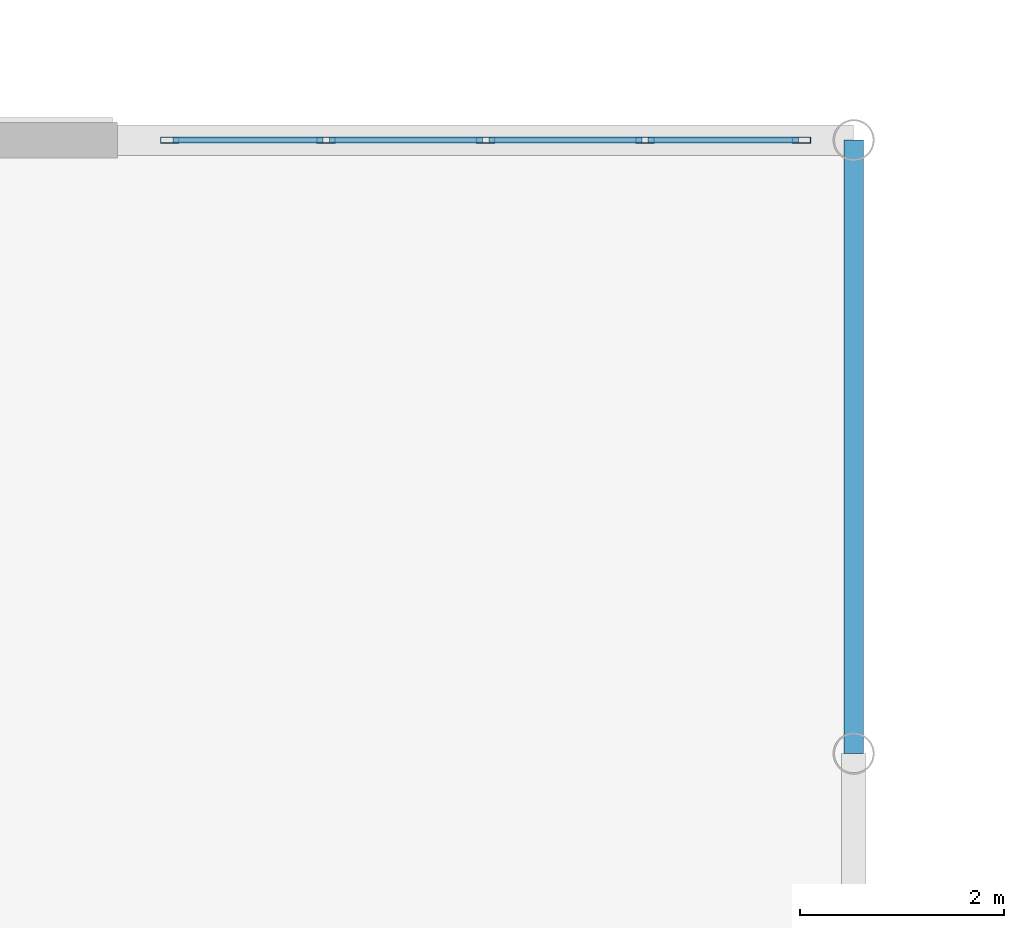
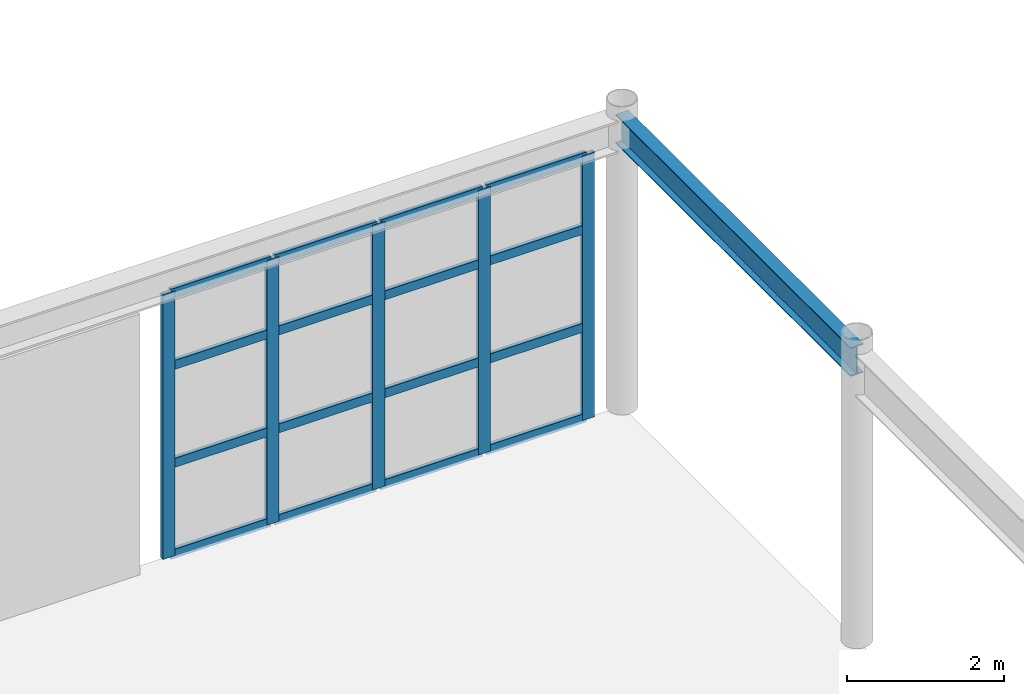
# One storey, part 40 of 83: 21 members, 1 beam, 1 element without a shape of its own.
"""IFC4 building model written with IfcOpenShell, lengths in metres."""

from ifc_helpers import new_model, si_unit, direction, frame, origin, origin_2d, place, context, subcontext, project, spatial, hollow_rectangle, i_section, extrude, material, layer, layer_set, material_profile, profile_set, type_object, element, aggregate, save


model = new_model("IFC4")

# Units and contexts
model_context = context("Model", 3, precision=1e-05, world=origin(), true_north=direction((0.0, 1.0)))
body_context = subcontext(model_context, "Body", "Model", "MODEL_VIEW")
ifc_project = project(units=[si_unit("LENGTHUNIT", "METRE"), si_unit("AREAUNIT", "SQUARE_METRE"), si_unit("VOLUMEUNIT", "CUBIC_METRE"), si_unit("PLANEANGLEUNIT", "RADIAN"), si_unit("MASSUNIT", "GRAM", prefix="KILO")], contexts=[model_context])

# Site, building, storey
site_placement = place(None, origin())
site = spatial("IfcSite", under=ifc_project, at=site_placement, CompositionType="ELEMENT")
building_placement = place(site_placement, origin())
building = spatial("IfcBuilding", under=site, at=building_placement, Name="Solvadek Multi-Sports Hall", CompositionType="ELEMENT")
storey_placement = place(building_placement, origin())
storey = spatial("IfcBuildingStorey", under=building, at=storey_placement, Name="L00", CompositionType="ELEMENT", Elevation=0.0)

# Curtain wall, members
ifc_material_1 = material(Name="Anodised aluminium", Category="aluminium")
ifc_layer = layer(ifc_material_1, 0.159912109375, Name="Anodised aluminium")
ifc_layer_set = layer_set([ifc_layer], Name="Anodised aluminium")
curtain_wall_type = type_object("IfcCurtainWallType", Name="ENV-CW-624X412", PredefinedType="USERDEFINED", material=ifc_layer_set)
curtain_wall_placement = place(storey_placement, origin())
curtain_wall = element("IfcCurtainWall", 1, at=curtain_wall_placement, inside=storey, type_object=curtain_wall_type, Name="L00 Perimeter Bay Curtain Wall #115", ObjectType="CURTAIN WALL", PredefinedType="USERDEFINED")
ifc_material_profile_1 = material_profile(ifc_material_1, hollow_rectangle(XDim=0.06005859375, YDim=0.179931640625, WallThickness=0.00390625, at=origin_2d()), Name="ALU-M 180x60x4")
ifc_profile_set_1 = profile_set([ifc_material_profile_1], Name="Anodised aluminium")
member_type_1 = type_object("IfcMemberType", Name="ENV-CWM-02", PredefinedType="MULLION", material=ifc_profile_set_1)
member_1_placement = place(storey_placement, frame((79.7099609375, 110.39990234375, 0.0), z_axis=(0.0, 0.0, 1.0), x_axis=(0.0, 1.0, 0.0)))
member_1 = element("IfcMember", 2, at=member_1_placement, type_object=member_type_1, Name="CW-38 mullion 1", PredefinedType="MULLION", context=body_context, shape_type="SweptSolid", body=[
    extrude(hollow_rectangle(XDim=0.06005859375, YDim=0.179931640625, WallThickness=0.00390625, at=origin_2d()), origin(), (0.0, 0.0, 1.0), 4.125),
])
member_2_placement = place(storey_placement, frame((81.239990234375, 110.39990234375, 0.0), z_axis=(0.0, 0.0, 1.0), x_axis=(0.0, 1.0, 0.0)))
member_2 = element("IfcMember", 3, at=member_2_placement, type_object=member_type_1, Name="CW-38 mullion 2", PredefinedType="MULLION", context=body_context, shape_type="SweptSolid", body=[
    extrude(hollow_rectangle(XDim=0.06005859375, YDim=0.179931640625, WallThickness=0.00390625, at=origin_2d()), origin(), (0.0, 0.0, 1.0), 4.125),
])
member_3_placement = place(storey_placement, frame((82.800048828125, 110.39990234375, 0.0), z_axis=(0.0, 0.0, 1.0), x_axis=(0.0, 1.0, 0.0)))
member_3 = element("IfcMember", 4, at=member_3_placement, type_object=member_type_1, Name="CW-38 mullion 3", PredefinedType="MULLION", context=body_context, shape_type="SweptSolid", body=[
    extrude(hollow_rectangle(XDim=0.06005859375, YDim=0.179931640625, WallThickness=0.00390625, at=origin_2d()), origin(), (0.0, 0.0, 1.0), 4.125),
])
member_4_placement = place(storey_placement, frame((84.360107421875, 110.39990234375, 0.0), z_axis=(0.0, 0.0, 1.0), x_axis=(0.0, 1.0, 0.0)))
member_4 = element("IfcMember", 5, at=member_4_placement, type_object=member_type_1, Name="CW-38 mullion 4", PredefinedType="MULLION", context=body_context, shape_type="SweptSolid", body=[
    extrude(hollow_rectangle(XDim=0.06005859375, YDim=0.179931640625, WallThickness=0.00390625, at=origin_2d()), origin(), (0.0, 0.0, 1.0), 4.125),
])
member_5_placement = place(storey_placement, frame((85.889892578125, 110.39990234375, 0.0), z_axis=(0.0, 0.0, 1.0), x_axis=(0.0, 1.0, 0.0)))
member_5 = element("IfcMember", 6, at=member_5_placement, type_object=member_type_1, Name="CW-38 mullion 5", PredefinedType="MULLION", context=body_context, shape_type="SweptSolid", body=[
    extrude(hollow_rectangle(XDim=0.06005859375, YDim=0.179931640625, WallThickness=0.00390625, at=origin_2d()), origin(), (0.0, 0.0, 1.0), 4.125),
])
ifc_material_profile_2 = material_profile(ifc_material_1, hollow_rectangle(XDim=0.06005859375, YDim=0.139892578125, WallThickness=0.00390625, at=origin_2d()), Name="ALU-T 140x60x4")
ifc_profile_set_2 = profile_set([ifc_material_profile_2], Name="Anodised aluminium")
member_type_2 = type_object("IfcMemberType", Name="ENV-CWT-02", PredefinedType="USERDEFINED", material=ifc_profile_set_2)
member_6_placement = place(storey_placement, frame((79.739990234375, 110.39990234375, 0.030029296875), z_axis=(1.0, 0.0, 0.0), x_axis=(0.0, 1.0, 0.0)))
member_6 = element("IfcMember", 7, at=member_6_placement, type_object=member_type_2, Name="CW-38 transom 1.1", ObjectType="TRANSOM", PredefinedType="USERDEFINED", context=body_context, shape_type="SweptSolid", body=[
    extrude(hollow_rectangle(XDim=0.06005859375, YDim=0.139892578125, WallThickness=0.00390625, at=origin_2d()), origin(), (0.0, 0.0, 1.0), 1.469970703125),
])
member_7_placement = place(storey_placement, frame((79.739990234375, 110.39990234375, 1.444091796875), z_axis=(1.0, 0.0, 0.0), x_axis=(0.0, 1.0, 0.0)))
member_7 = element("IfcMember", 8, at=member_7_placement, type_object=member_type_2, Name="CW-38 transom 1.2", ObjectType="TRANSOM", PredefinedType="USERDEFINED", context=body_context, shape_type="SweptSolid", body=[
    extrude(hollow_rectangle(XDim=0.06005859375, YDim=0.139892578125, WallThickness=0.00390625, at=origin_2d()), origin(), (0.0, 0.0, 1.0), 1.469970703125),
])
member_8_placement = place(storey_placement, frame((79.739990234375, 110.39990234375, 2.969970703125), z_axis=(1.0, 0.0, 0.0), x_axis=(0.0, 1.0, 0.0)))
member_8 = element("IfcMember", 9, at=member_8_placement, type_object=member_type_2, Name="CW-38 transom 1.3", ObjectType="TRANSOM", PredefinedType="USERDEFINED", context=body_context, shape_type="SweptSolid", body=[
    extrude(hollow_rectangle(XDim=0.06005859375, YDim=0.139892578125, WallThickness=0.00390625, at=origin_2d()), origin(), (0.0, 0.0, 1.0), 1.469970703125),
])
member_9_placement = place(storey_placement, frame((79.739990234375, 110.39990234375, 4.094970703125), z_axis=(1.0, 0.0, 0.0), x_axis=(0.0, 1.0, 0.0)))
member_9 = element("IfcMember", 10, at=member_9_placement, type_object=member_type_2, Name="CW-38 transom 1.4", ObjectType="TRANSOM", PredefinedType="USERDEFINED", context=body_context, shape_type="SweptSolid", body=[
    extrude(hollow_rectangle(XDim=0.06005859375, YDim=0.139892578125, WallThickness=0.00390625, at=origin_2d()), origin(), (0.0, 0.0, 1.0), 1.469970703125),
])
member_10_placement = place(storey_placement, frame((81.27001953125, 110.39990234375, 0.030029296875), z_axis=(1.0, 0.0, 0.0), x_axis=(0.0, 1.0, 0.0)))
member_10 = element("IfcMember", 11, at=member_10_placement, type_object=member_type_2, Name="CW-38 transom 2.1", ObjectType="TRANSOM", PredefinedType="USERDEFINED", context=body_context, shape_type="SweptSolid", body=[
    extrude(hollow_rectangle(XDim=0.06005859375, YDim=0.139892578125, WallThickness=0.00390625, at=origin_2d()), origin(), (0.0, 0.0, 1.0), 1.5),
])
member_11_placement = place(storey_placement, frame((81.27001953125, 110.39990234375, 1.444091796875), z_axis=(1.0, 0.0, 0.0), x_axis=(0.0, 1.0, 0.0)))
member_11 = element("IfcMember", 12, at=member_11_placement, type_object=member_type_2, Name="CW-38 transom 2.2", ObjectType="TRANSOM", PredefinedType="USERDEFINED", context=body_context, shape_type="SweptSolid", body=[
    extrude(hollow_rectangle(XDim=0.06005859375, YDim=0.139892578125, WallThickness=0.00390625, at=origin_2d()), origin(), (0.0, 0.0, 1.0), 1.5),
])
member_12_placement = place(storey_placement, frame((81.27001953125, 110.39990234375, 2.969970703125), z_axis=(1.0, 0.0, 0.0), x_axis=(0.0, 1.0, 0.0)))
member_12 = element("IfcMember", 13, at=member_12_placement, type_object=member_type_2, Name="CW-38 transom 2.3", ObjectType="TRANSOM", PredefinedType="USERDEFINED", context=body_context, shape_type="SweptSolid", body=[
    extrude(hollow_rectangle(XDim=0.06005859375, YDim=0.139892578125, WallThickness=0.00390625, at=origin_2d()), origin(), (0.0, 0.0, 1.0), 1.5),
])
member_13_placement = place(storey_placement, frame((81.27001953125, 110.39990234375, 4.094970703125), z_axis=(1.0, 0.0, 0.0), x_axis=(0.0, 1.0, 0.0)))
member_13 = element("IfcMember", 14, at=member_13_placement, type_object=member_type_2, Name="CW-38 transom 2.4", ObjectType="TRANSOM", PredefinedType="USERDEFINED", context=body_context, shape_type="SweptSolid", body=[
    extrude(hollow_rectangle(XDim=0.06005859375, YDim=0.139892578125, WallThickness=0.00390625, at=origin_2d()), origin(), (0.0, 0.0, 1.0), 1.5),
])
member_14_placement = place(storey_placement, frame((82.830078125, 110.39990234375, 0.030029296875), z_axis=(1.0, 0.0, 0.0), x_axis=(0.0, 1.0, 0.0)))
member_14 = element("IfcMember", 15, at=member_14_placement, type_object=member_type_2, Name="CW-38 transom 3.1", ObjectType="TRANSOM", PredefinedType="USERDEFINED", context=body_context, shape_type="SweptSolid", body=[
    extrude(hollow_rectangle(XDim=0.06005859375, YDim=0.139892578125, WallThickness=0.00390625, at=origin_2d()), origin(), (0.0, 0.0, 1.0), 1.5),
])
member_15_placement = place(storey_placement, frame((82.830078125, 110.39990234375, 1.444091796875), z_axis=(1.0, 0.0, 0.0), x_axis=(0.0, 1.0, 0.0)))
member_15 = element("IfcMember", 16, at=member_15_placement, type_object=member_type_2, Name="CW-38 transom 3.2", ObjectType="TRANSOM", PredefinedType="USERDEFINED", context=body_context, shape_type="SweptSolid", body=[
    extrude(hollow_rectangle(XDim=0.06005859375, YDim=0.139892578125, WallThickness=0.00390625, at=origin_2d()), origin(), (0.0, 0.0, 1.0), 1.5),
])
member_16_placement = place(storey_placement, frame((82.830078125, 110.39990234375, 2.969970703125), z_axis=(1.0, 0.0, 0.0), x_axis=(0.0, 1.0, 0.0)))
member_16 = element("IfcMember", 17, at=member_16_placement, type_object=member_type_2, Name="CW-38 transom 3.3", ObjectType="TRANSOM", PredefinedType="USERDEFINED", context=body_context, shape_type="SweptSolid", body=[
    extrude(hollow_rectangle(XDim=0.06005859375, YDim=0.139892578125, WallThickness=0.00390625, at=origin_2d()), origin(), (0.0, 0.0, 1.0), 1.5),
])
member_17_placement = place(storey_placement, frame((82.830078125, 110.39990234375, 4.094970703125), z_axis=(1.0, 0.0, 0.0), x_axis=(0.0, 1.0, 0.0)))
member_17 = element("IfcMember", 18, at=member_17_placement, type_object=member_type_2, Name="CW-38 transom 3.4", ObjectType="TRANSOM", PredefinedType="USERDEFINED", context=body_context, shape_type="SweptSolid", body=[
    extrude(hollow_rectangle(XDim=0.06005859375, YDim=0.139892578125, WallThickness=0.00390625, at=origin_2d()), origin(), (0.0, 0.0, 1.0), 1.5),
])
member_18_placement = place(storey_placement, frame((84.389892578125, 110.39990234375, 0.030029296875), z_axis=(1.0, 0.0, 0.0), x_axis=(0.0, 1.0, 0.0)))
member_18 = element("IfcMember", 19, at=member_18_placement, type_object=member_type_2, Name="CW-38 transom 4.1", ObjectType="TRANSOM", PredefinedType="USERDEFINED", context=body_context, shape_type="SweptSolid", body=[
    extrude(hollow_rectangle(XDim=0.06005859375, YDim=0.139892578125, WallThickness=0.00390625, at=origin_2d()), origin(), (0.0, 0.0, 1.0), 1.47021484375),
])
member_19_placement = place(storey_placement, frame((84.389892578125, 110.39990234375, 1.444091796875), z_axis=(1.0, 0.0, 0.0), x_axis=(0.0, 1.0, 0.0)))
member_19 = element("IfcMember", 20, at=member_19_placement, type_object=member_type_2, Name="CW-38 transom 4.2", ObjectType="TRANSOM", PredefinedType="USERDEFINED", context=body_context, shape_type="SweptSolid", body=[
    extrude(hollow_rectangle(XDim=0.06005859375, YDim=0.139892578125, WallThickness=0.00390625, at=origin_2d()), origin(), (0.0, 0.0, 1.0), 1.47021484375),
])
member_20_placement = place(storey_placement, frame((84.389892578125, 110.39990234375, 2.969970703125), z_axis=(1.0, 0.0, 0.0), x_axis=(0.0, 1.0, 0.0)))
member_20 = element("IfcMember", 21, at=member_20_placement, type_object=member_type_2, Name="CW-38 transom 4.3", ObjectType="TRANSOM", PredefinedType="USERDEFINED", context=body_context, shape_type="SweptSolid", body=[
    extrude(hollow_rectangle(XDim=0.06005859375, YDim=0.139892578125, WallThickness=0.00390625, at=origin_2d()), origin(), (0.0, 0.0, 1.0), 1.47021484375),
])
member_21_placement = place(storey_placement, frame((84.389892578125, 110.39990234375, 4.094970703125), z_axis=(1.0, 0.0, 0.0), x_axis=(0.0, 1.0, 0.0)))
member_21 = element("IfcMember", 22, at=member_21_placement, type_object=member_type_2, Name="CW-38 transom 4.4", ObjectType="TRANSOM", PredefinedType="USERDEFINED", context=body_context, shape_type="SweptSolid", body=[
    extrude(hollow_rectangle(XDim=0.06005859375, YDim=0.139892578125, WallThickness=0.00390625, at=origin_2d()), origin(), (0.0, 0.0, 1.0), 1.47021484375),
])
aggregate(curtain_wall, [member_1, member_2, member_3, member_4, member_5, member_6, member_7, member_8, member_9, member_10, member_11, member_12, member_13, member_14, member_15, member_16, member_17, member_18, member_19, member_20, member_21])

# Beam
ifc_material_2 = material(Name="Steel E350 (350 MPa)", Category="steel")
ifc_material_profile_3 = material_profile(ifc_material_2, i_section(OverallWidth=0.18994140625, OverallDepth=0.449951171875, WebThickness=0.009521484375, FlangeThickness=0.0146484375, at=origin_2d()), Name="NPB 450")
ifc_profile_set_3 = profile_set([ifc_material_profile_3], Name="Steel E350 (350 MPa)")
beam_type = type_object("IfcBeamType", Name="STR-BM-NPB450", PredefinedType="BEAM", material=ifc_profile_set_3)
beam_placement = place(storey_placement, frame((86.39990234375, 104.39990234375, 4.35498046875), z_axis=(0.0, 1.0, 0.0), x_axis=(-1.0, 0.0, 0.0)))
element("IfcBeam", 23, at=beam_placement, inside=storey, type_object=beam_type, Name="L00 Girder B-08 #891", PredefinedType="BEAM", context=body_context, shape_type="SweptSolid", body=[
    extrude(i_section(OverallWidth=0.18994140625, OverallDepth=0.449951171875, WebThickness=0.009521484375, FlangeThickness=0.0146484375, at=origin_2d()), origin(), (0.0, 0.0, 1.0), 6.0),
])

save(model, "model.ifc")
